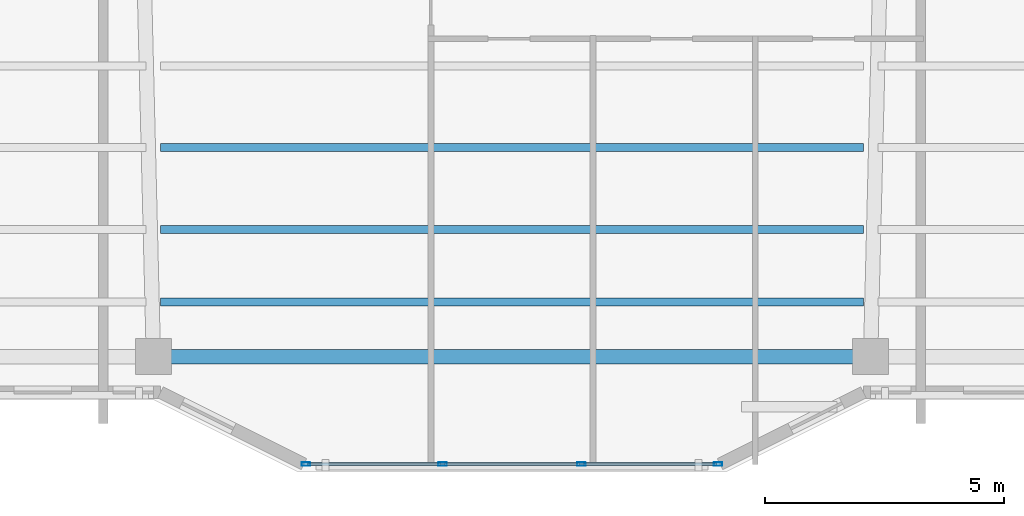
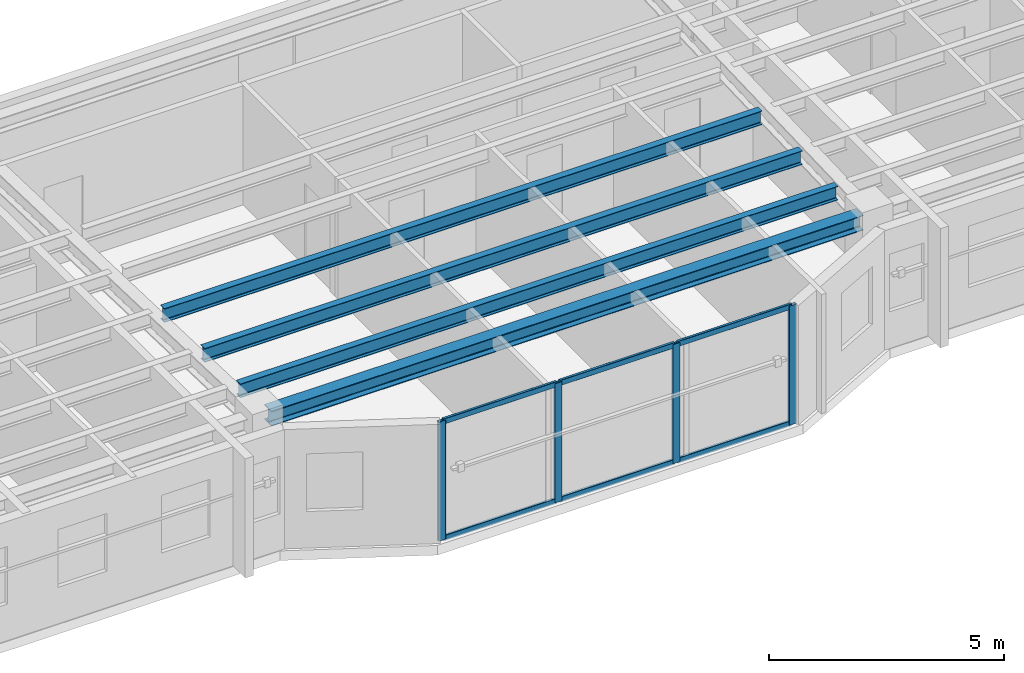
# One storey, part 2 of 15: 10 members, 4 beams, 1 element without a shape of its own.
"""IFC4 building model written with IfcOpenShell, lengths in metres."""

from ifc_helpers import new_model, si_unit, direction, frame, origin, origin_2d, place, context, subcontext, project, spatial, hollow_rectangle, i_section, extrude, material, layer, layer_set, material_profile, profile_set, type_object, element, aggregate, save


model = new_model("IFC4")

# Units and contexts
model_context = context("Model", 3, precision=1e-05, world=origin(), true_north=direction((0.0, 1.0)))
body_context = subcontext(model_context, "Body", "Model", "MODEL_VIEW")
ifc_project = project(units=[si_unit("LENGTHUNIT", "METRE"), si_unit("AREAUNIT", "SQUARE_METRE"), si_unit("VOLUMEUNIT", "CUBIC_METRE"), si_unit("PLANEANGLEUNIT", "RADIAN"), si_unit("MASSUNIT", "GRAM", prefix="KILO")], contexts=[model_context])

# Site, building, storey
site_placement = place(None, origin())
site = spatial("IfcSite", under=ifc_project, at=site_placement, CompositionType="ELEMENT")
building_placement = place(site_placement, origin())
building = spatial("IfcBuilding", under=site, at=building_placement, Name="Tarnavaz Court Tower", CompositionType="ELEMENT")
storey_placement = place(building_placement, frame((0.0, 0.0, 186.89990234375)))
storey = spatial("IfcBuildingStorey", under=building, at=storey_placement, Name="L50", CompositionType="ELEMENT", Elevation=186.89990234375)

# Beams
ifc_material_1 = material(Name="Steel S355", Category="steel")
ifc_material_profile_1 = material_profile(ifc_material_1, i_section(OverallWidth=0.169921875, OverallDepth=0.360107421875, WebThickness=0.008056640625, FlangeThickness=0.0126953125, FilletRadius=0.01806640625, at=origin_2d()), Name="IPE 360")
ifc_profile_set_1 = profile_set([ifc_material_profile_1], Name="Steel S355")
beam_type_1 = type_object("IfcBeamType", Name="BM-J-IPE360", PredefinedType="JOIST", material=ifc_profile_set_1)
for number, where, z_axis, x_axis, name in (
    (1, (-7.35009765625, -15.72998046875, 2.920166015625), (1.0, 0.0, 0.0), (0.0, 1.0, 0.0), "L50 Beam JS3-2"),
    (2, (-7.35009765625, -17.43994140625, 2.920166015625), (1.0, 0.0, 0.0), (0.0, 1.0, 0.0), "L50 Beam JS4-2"),
    (3, (-7.35009765625, -18.9599609375, 2.920166015625), (1.0, 0.0, 0.0), (0.0, 1.0, 0.0), "L50 Beam JS5-2"),
):
    element("IfcBeam", number, at=place(storey_placement, frame(where, z_axis=z_axis, x_axis=x_axis)), inside=storey, type_object=beam_type_1, Name=name, PredefinedType="JOIST", context=body_context, shape_type="SweptSolid", body=[
        extrude(i_section(OverallWidth=0.169921875, OverallDepth=0.360107421875, WebThickness=0.008056640625, FlangeThickness=0.0126953125, FilletRadius=0.01806640625, at=origin_2d()), origin(), (0.0, 0.0, 1.0), 14.7001953125),
    ])
ifc_material_profile_2 = material_profile(ifc_material_1, i_section(OverallWidth=0.300048828125, OverallDepth=0.389892578125, WebThickness=0.010986328125, FlangeThickness=0.01904296875, FilletRadius=0.027099609375, at=origin_2d()), Name="HEA 400")
ifc_profile_set_2 = profile_set([ifc_material_profile_2], Name="Steel S355")
beam_type_2 = type_object("IfcBeamType", Name="BM-SP-HEA400", PredefinedType="BEAM", material=ifc_profile_set_2)
beam_placement = place(storey_placement, frame((-7.280029296875, -20.10009765625, 2.905029296875), z_axis=(1.0, 0.0, 0.0), x_axis=(0.0, 1.0, 0.0)))
element("IfcBeam", 4, at=beam_placement, inside=storey, type_object=beam_type_2, Name="L50 Beam PR-PS-2-PS-3", PredefinedType="BEAM", context=body_context, shape_type="SweptSolid", body=[
    extrude(i_section(OverallWidth=0.300048828125, OverallDepth=0.389892578125, WebThickness=0.010986328125, FlangeThickness=0.01904296875, FilletRadius=0.027099609375, at=origin_2d()), origin(), (0.0, 0.0, 1.0), 14.56005859375),
])

# Curtain wall, members
ifc_material_2 = material(Name="Anodised Aluminium 6063-T6 and Solar Low-E Glazing", Category="aluminium")
ifc_layer = layer(ifc_material_2, 0.159912109375)
ifc_layer_set = layer_set([ifc_layer], Name="Anodised Aluminium 6063-T6 and Solar Low-E Glazing")
curtain_wall_type = type_object("IfcCurtainWallType", Name="CW-SYS-03", PredefinedType="NOTDEFINED", material=ifc_layer_set)
curtain_wall_placement = place(storey_placement, origin())
curtain_wall = element("IfcCurtainWall", 5, at=curtain_wall_placement, inside=storey, type_object=curtain_wall_type, Name="L50 Iwan Prow Curtain Wall 17", PredefinedType="NOTDEFINED")
ifc_material_3 = material(Name="Anodised Aluminium 6063-T6", Category="aluminium")
ifc_material_profile_3 = material_profile(ifc_material_3, hollow_rectangle(XDim=0.074951171875, YDim=0.179931640625, WallThickness=0.0048828125, InnerFilletRadius=0.0048828125, OuterFilletRadius=0.010009765625, at=origin_2d()), Name="ALU RHS 180X75X5")
ifc_profile_set_3 = profile_set([ifc_material_profile_3], Name="Anodised Aluminium 6063-T6")
member_type_1 = type_object("IfcMemberType", Name="CW-MUL-180", PredefinedType="MULLION", material=ifc_profile_set_3)
member_1_placement = place(storey_placement, frame((4.3125, -22.35009765625, 0.0), z_axis=(0.0, 0.0, 1.0), x_axis=(0.0, -1.0, 0.0)))
member_1 = element("IfcMember", 6, at=member_1_placement, type_object=member_type_1, Name="CW mullion 1", PredefinedType="MULLION", context=body_context, shape_type="SweptSolid", body=[
    extrude(hollow_rectangle(XDim=0.074951171875, YDim=0.179931640625, WallThickness=0.0048828125, InnerFilletRadius=0.0048828125, OuterFilletRadius=0.010009765625, at=origin_2d()), origin(), (0.0, 0.0, 1.0), 3.10009765625),
])
member_2_placement = place(storey_placement, frame((1.449951171875, -22.35009765625, 0.0), z_axis=(0.0, 0.0, 1.0), x_axis=(0.0, -1.0, 0.0)))
member_2 = element("IfcMember", 7, at=member_2_placement, type_object=member_type_1, Name="CW mullion 2", PredefinedType="MULLION", context=body_context, shape_type="SweptSolid", body=[
    extrude(hollow_rectangle(XDim=0.074951171875, YDim=0.179931640625, WallThickness=0.0048828125, InnerFilletRadius=0.0048828125, OuterFilletRadius=0.010009765625, at=origin_2d()), origin(), (0.0, 0.0, 1.0), 3.10009765625),
])
member_3_placement = place(storey_placement, frame((-1.449951171875, -22.35009765625, 0.0), z_axis=(0.0, 0.0, 1.0), x_axis=(0.0, -1.0, 0.0)))
member_3 = element("IfcMember", 8, at=member_3_placement, type_object=member_type_1, Name="CW mullion 3", PredefinedType="MULLION", context=body_context, shape_type="SweptSolid", body=[
    extrude(hollow_rectangle(XDim=0.074951171875, YDim=0.179931640625, WallThickness=0.0048828125, InnerFilletRadius=0.0048828125, OuterFilletRadius=0.010009765625, at=origin_2d()), origin(), (0.0, 0.0, 1.0), 3.10009765625),
])
member_4_placement = place(storey_placement, frame((-4.3125, -22.35009765625, 0.0), z_axis=(0.0, 0.0, 1.0), x_axis=(0.0, -1.0, 0.0)))
member_4 = element("IfcMember", 9, at=member_4_placement, type_object=member_type_1, Name="CW mullion 4", PredefinedType="MULLION", context=body_context, shape_type="SweptSolid", body=[
    extrude(hollow_rectangle(XDim=0.074951171875, YDim=0.179931640625, WallThickness=0.0048828125, InnerFilletRadius=0.0048828125, OuterFilletRadius=0.010009765625, at=origin_2d()), origin(), (0.0, 0.0, 1.0), 3.10009765625),
])
ifc_material_profile_4 = material_profile(ifc_material_3, hollow_rectangle(XDim=0.06494140625, YDim=0.139892578125, WallThickness=0.00390625, InnerFilletRadius=0.00390625, OuterFilletRadius=0.008056640625, at=origin_2d()), Name="ALU RHS 140X65X4")
ifc_profile_set_4 = profile_set([ifc_material_profile_4], Name="Anodised Aluminium 6063-T6")
member_type_2 = type_object("IfcMemberType", Name="CW-TRN-140", PredefinedType="USERDEFINED", material=ifc_profile_set_4)
member_5_placement = place(storey_placement, frame((4.27490234375, -22.35009765625, 0.03271484375), z_axis=(-1.0, 0.0, 0.0), x_axis=(0.0, -1.0, 0.0)))
member_5 = element("IfcMember", 10, at=member_5_placement, type_object=member_type_2, Name="CW transom 1.1", ObjectType="TRANSOM", PredefinedType="USERDEFINED", context=body_context, shape_type="SweptSolid", body=[
    extrude(hollow_rectangle(XDim=0.06494140625, YDim=0.139892578125, WallThickness=0.00390625, InnerFilletRadius=0.00390625, OuterFilletRadius=0.008056640625, at=origin_2d()), origin(), (0.0, 0.0, 1.0), 2.787353515625),
])
member_6_placement = place(storey_placement, frame((4.27490234375, -22.35009765625, 3.067626953125), z_axis=(-1.0, 0.0, 0.0), x_axis=(0.0, -1.0, 0.0)))
member_6 = element("IfcMember", 11, at=member_6_placement, type_object=member_type_2, Name="CW transom 1.2", ObjectType="TRANSOM", PredefinedType="USERDEFINED", context=body_context, shape_type="SweptSolid", body=[
    extrude(hollow_rectangle(XDim=0.06494140625, YDim=0.139892578125, WallThickness=0.00390625, InnerFilletRadius=0.00390625, OuterFilletRadius=0.008056640625, at=origin_2d()), origin(), (0.0, 0.0, 1.0), 2.787353515625),
])
member_7_placement = place(storey_placement, frame((1.41259765625, -22.35009765625, 0.03271484375), z_axis=(-1.0, 0.0, 0.0), x_axis=(0.0, -1.0, 0.0)))
member_7 = element("IfcMember", 12, at=member_7_placement, type_object=member_type_2, Name="CW transom 2.1", ObjectType="TRANSOM", PredefinedType="USERDEFINED", context=body_context, shape_type="SweptSolid", body=[
    extrude(hollow_rectangle(XDim=0.06494140625, YDim=0.139892578125, WallThickness=0.00390625, InnerFilletRadius=0.00390625, OuterFilletRadius=0.008056640625, at=origin_2d()), origin(), (0.0, 0.0, 1.0), 2.8251953125),
])
member_8_placement = place(storey_placement, frame((1.41259765625, -22.35009765625, 3.067626953125), z_axis=(-1.0, 0.0, 0.0), x_axis=(0.0, -1.0, 0.0)))
member_8 = element("IfcMember", 13, at=member_8_placement, type_object=member_type_2, Name="CW transom 2.2", ObjectType="TRANSOM", PredefinedType="USERDEFINED", context=body_context, shape_type="SweptSolid", body=[
    extrude(hollow_rectangle(XDim=0.06494140625, YDim=0.139892578125, WallThickness=0.00390625, InnerFilletRadius=0.00390625, OuterFilletRadius=0.008056640625, at=origin_2d()), origin(), (0.0, 0.0, 1.0), 2.8251953125),
])
member_9_placement = place(storey_placement, frame((-1.487548828125, -22.35009765625, 0.03271484375), z_axis=(-1.0, 0.0, 0.0), x_axis=(0.0, -1.0, 0.0)))
member_9 = element("IfcMember", 14, at=member_9_placement, type_object=member_type_2, Name="CW transom 3.1", ObjectType="TRANSOM", PredefinedType="USERDEFINED", context=body_context, shape_type="SweptSolid", body=[
    extrude(hollow_rectangle(XDim=0.06494140625, YDim=0.139892578125, WallThickness=0.00390625, InnerFilletRadius=0.00390625, OuterFilletRadius=0.008056640625, at=origin_2d()), origin(), (0.0, 0.0, 1.0), 2.787353515625),
])
member_10_placement = place(storey_placement, frame((-1.487548828125, -22.35009765625, 3.067626953125), z_axis=(-1.0, 0.0, 0.0), x_axis=(0.0, -1.0, 0.0)))
member_10 = element("IfcMember", 15, at=member_10_placement, type_object=member_type_2, Name="CW transom 3.2", ObjectType="TRANSOM", PredefinedType="USERDEFINED", context=body_context, shape_type="SweptSolid", body=[
    extrude(hollow_rectangle(XDim=0.06494140625, YDim=0.139892578125, WallThickness=0.00390625, InnerFilletRadius=0.00390625, OuterFilletRadius=0.008056640625, at=origin_2d()), origin(), (0.0, 0.0, 1.0), 2.787353515625),
])
aggregate(curtain_wall, [member_1, member_2, member_3, member_4, member_5, member_6, member_7, member_8, member_9, member_10])

save(model, "model.ifc")
